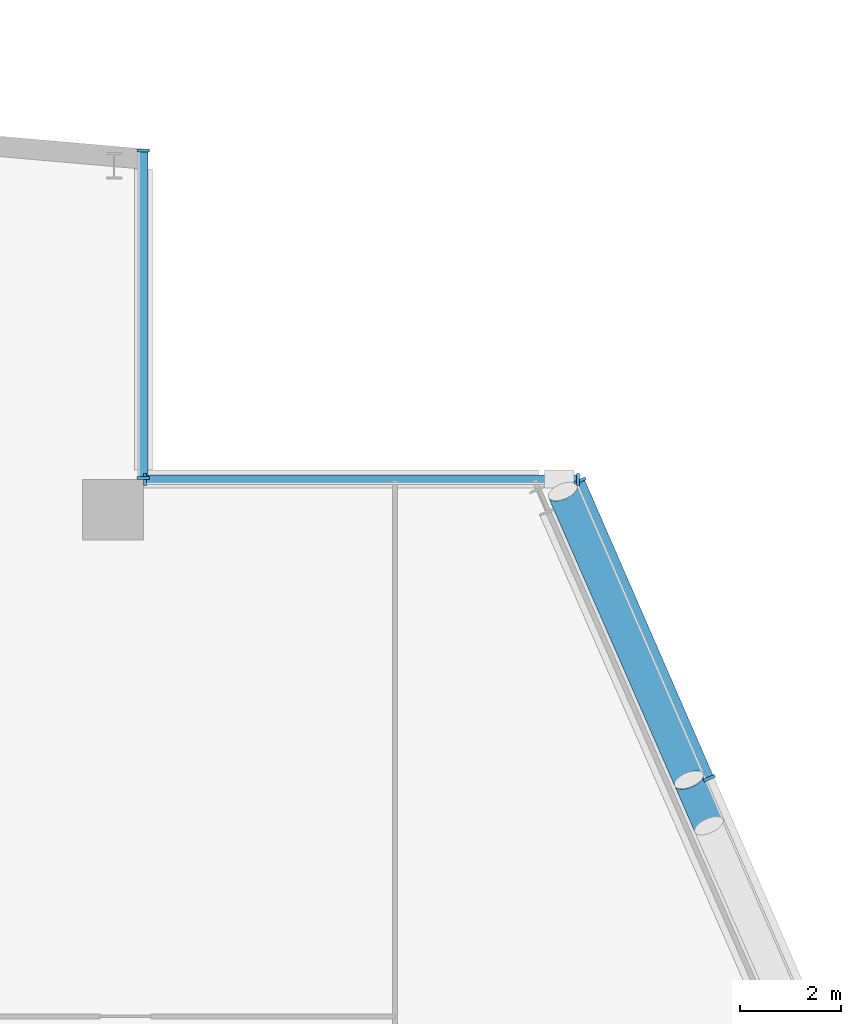
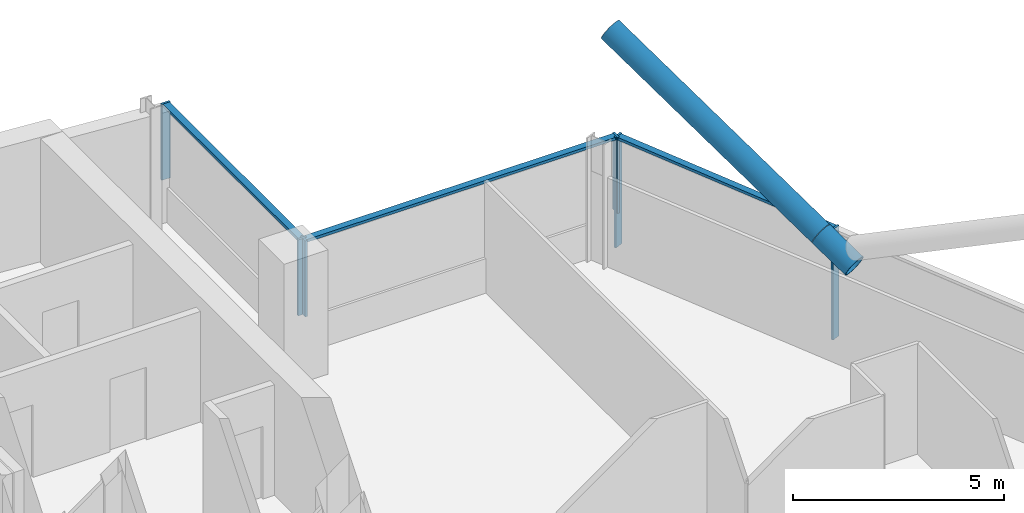
# One storey, part 11 of 28: 11 members, 3 elements without a shape of their own.
"""IFC4 building model written with IfcOpenShell, lengths in metres."""

import ifcopenshell
import ifcopenshell.guid

model = None  # the IFC model being written
_history = None  # IfcOwnerHistory: only IFC2X3 demands one
_inside = {}  # id of a spatial element -> (the spatial element, [elements in it])
_under = {}  # id of a project, library or spatial element -> (it, [spatial elements below it])
_declared = {}  # id of a project -> (the project, [libraries it declares])
_typed = {}  # id of a type object -> (the type object, [elements of that type])
_made_of = {}  # id of a material, layer set ... -> (it, [elements and type objects made of it])


def new_model(schema):
    """Start an empty IFC model of exactly this schema.

    Asked for "IFC4X3", IfcOpenShell would pick the latest addendum, in which some entities
    have other attributes; the version numbers below select the first issue.
    IFC2X3 requires an IfcOwnerHistory on every rooted entity: one is made here for all.
    """
    global model, _history
    if schema == "IFC4X3":
        model = ifcopenshell.file(schema_version=(4, 3, 0, 0))
    else:
        model = ifcopenshell.file(schema=schema)
    _inside.clear()
    _under.clear()
    _declared.clear()
    _typed.clear()
    _made_of.clear()
    _history = None
    if model.schema == "IFC2X3":
        org = make("IfcOrganization", Name="unknown")
        user = make(
            "IfcPersonAndOrganization",
            ThePerson=make("IfcPerson", FamilyName="unknown"),
            TheOrganization=org,
        )
        app = make(
            "IfcApplication",
            ApplicationDeveloper=org,
            Version="unknown",
            ApplicationFullName="unknown",
            ApplicationIdentifier="unknown",
        )
        _history = make(
            "IfcOwnerHistory",
            OwningUser=user,
            OwningApplication=app,
            ChangeAction="ADDED",
            CreationDate=0,
        )
    return model


def make(cls, **values):
    """One entity of the class cls with the attributes given. An attribute that is None is left unset."""
    return model.create_entity(
        cls, **{name: value for name, value in values.items() if value is not None}
    )


def rooted(cls, **values):
    """An entity with a GlobalId (a new one), such as an element, a storey or a relation."""
    return make(cls, GlobalId=ifcopenshell.guid.new(), OwnerHistory=_history, **values)


def si_unit(unit_type, name, prefix=None):
    """IfcSIUnit, for example si_unit("LENGTHUNIT", "METRE", prefix="MILLI")."""
    return make("IfcSIUnit", UnitType=unit_type, Prefix=prefix, Name=name)


def assignment(units):
    """IfcUnitAssignment: the units of a project."""
    return None if units is None else make("IfcUnitAssignment", Units=units)


def point(xyz):
    """IfcCartesianPoint."""
    return None if xyz is None else make("IfcCartesianPoint", Coordinates=xyz)


def direction(xyz):
    """IfcDirection."""
    return None if xyz is None else make("IfcDirection", DirectionRatios=xyz)


def frame(location, z_axis=None, x_axis=None):
    """IfcAxis2Placement3D, a coordinate frame: its origin and axes. An axis left out is left unset."""
    return make(
        "IfcAxis2Placement3D",
        Location=point(location),
        Axis=direction(z_axis),
        RefDirection=direction(x_axis),
    )


def frame_2d(location, x_axis=None):
    """IfcAxis2Placement2D, a coordinate frame in the plane: its origin and x axis."""
    return make(
        "IfcAxis2Placement2D", Location=point(location), RefDirection=direction(x_axis)
    )


def origin():
    """The frame at (0, 0, 0) with its axes left unset."""
    return frame((0.0, 0.0, 0.0))


def origin_2d():
    """The frame at (0, 0) in the plane with its x axis left unset."""
    return frame_2d((0.0, 0.0))


def place(relative_to, where):
    """IfcLocalPlacement: puts the frame where relative to a parent placement (None: the world)."""
    return make(
        "IfcLocalPlacement", PlacementRelTo=relative_to, RelativePlacement=where
    )


def context(
    kind, dimensions, precision=None, world=None, true_north=None, identifier=None
):
    """IfcGeometricRepresentationContext, for example the 3D "Model" context."""
    return make(
        "IfcGeometricRepresentationContext",
        ContextIdentifier=identifier,
        ContextType=kind,
        CoordinateSpaceDimension=dimensions,
        Precision=precision,
        WorldCoordinateSystem=world,
        TrueNorth=true_north,
    )


def subcontext(parent, identifier, kind, view, scale=None):
    """IfcGeometricRepresentationSubContext, for example "Body" below "Model"."""
    return make(
        "IfcGeometricRepresentationSubContext",
        ContextIdentifier=identifier,
        ContextType=kind,
        ParentContext=parent,
        TargetScale=scale,
        TargetView=view,
    )


def project(units=None, contexts=None):
    """IfcProject with its units and contexts."""
    return rooted(
        "IfcProject",
        Name="project",
        RepresentationContexts=contexts,
        UnitsInContext=assignment(units),
    )


def spatial(cls, under=None, at=None, **own):
    """A site, building, storey or space (cls), placed at a placement, below another one or the project."""
    s = rooted(cls, ObjectPlacement=at, **own)
    if under is not None:
        _under.setdefault(under.id(), (under, []))[1].append(s)
    return s


def profile(cls, at=None, kind="AREA", **sizes):
    """A parametric profile (cls). Its sizes go by their IFC names, for example OverallWidth=200.0."""
    return make(cls, ProfileType=kind, Position=at, **sizes)


def rectangle(**sizes):
    """IfcRectangleProfileDef."""
    return profile("IfcRectangleProfileDef", **sizes)


def hollow_circle(**sizes):
    """IfcCircleHollowProfileDef."""
    return profile("IfcCircleHollowProfileDef", **sizes)


def extrude(swept, where, along, depth):
    """IfcExtrudedAreaSolid: the profile swept, set in the frame where, extruded along a direction by depth."""
    return make(
        "IfcExtrudedAreaSolid",
        SweptArea=swept,
        Position=where,
        ExtrudedDirection=direction(along),
        Depth=depth,
    )


def shape(context_of_items, identifier, shape_type, items):
    """IfcShapeRepresentation: the items that make up one representation, for example the "Body"."""
    return make(
        "IfcShapeRepresentation",
        ContextOfItems=context_of_items,
        RepresentationIdentifier=identifier,
        RepresentationType=shape_type,
        Items=items,
    )


def material(Name=None, Category=None):
    """IfcMaterial."""
    return make("IfcMaterial", Name=Name, Category=Category)


def material_profile(
    of_material, cross_section, Name=None, Category=None, Priority=None
):
    """IfcMaterialProfile: a cross section and its material."""
    return make(
        "IfcMaterialProfile",
        Name=Name,
        Material=of_material,
        Profile=cross_section,
        Priority=Priority,
        Category=Category,
    )


def profile_set(profiles, Name=None, composite=None):
    """IfcMaterialProfileSet."""
    return make(
        "IfcMaterialProfileSet",
        Name=Name,
        MaterialProfiles=profiles,
        CompositeProfile=composite,
    )


def made_of(thing, what):
    """Note that an element or type object is made of a material, layer set ...; save() writes the relation."""
    if what is not None:
        _made_of.setdefault(what.id(), (what, []))[1].append(thing)
    return thing


def type_object(cls, material=None, **own):
    """A type object (cls), such as IfcWallType, which elements share."""
    return made_of(rooted(cls, **own), material)


def element(
    cls,
    number,
    at=None,
    inside=None,
    cuts=None,
    type_object=None,
    material=None,
    context=None,
    identifier="Body",
    shape_type=None,
    held_by="IfcProductDefinitionShape",
    body=None,
    shapes=None,
    **own,
):
    """One element of the class cls, such as IfcWall. Its Tag is "e" and its number.

    at: its placement. inside: the storey or other place that contains it. cuts: it is an
    opening in that element (IfcRelVoidsElement). A single representation is given by context,
    identifier, shape_type and body (its items); several are given by shapes. held_by: the class
    of the entity that holds the representations. save() writes the other relations.
    """
    e = rooted(cls, Tag="e%d" % number, ObjectPlacement=at, **own)
    if body is not None:
        shapes = [shape(context, identifier, shape_type, body)]
    if shapes is not None:
        e.Representation = make(held_by, Representations=shapes)
    if inside is not None:
        _inside.setdefault(inside.id(), (inside, []))[1].append(e)
    if cuts is not None:
        rooted(
            "IfcRelVoidsElement", RelatingBuildingElement=cuts, RelatedOpeningElement=e
        )
    if type_object is not None:
        _typed.setdefault(type_object.id(), (type_object, []))[1].append(e)
    return made_of(e, material)


def aggregate(whole, parts):
    """IfcRelAggregates: a whole, such as a stair, and the parts it consists of."""
    return rooted("IfcRelAggregates", RelatingObject=whole, RelatedObjects=parts)


def save(model, path):
    """Write the relations noted so far, then the file.

    IfcRelAggregates (storeys below a building ...), IfcRelContainedInSpatialStructure (elements
    in a storey), IfcRelDefinesByType, IfcRelAssociatesMaterial and IfcRelDeclares: one each for
    every whole, place, type object, material and project.
    """
    for whole, parts in _under.values():
        aggregate(whole, parts)
    for where, things in _inside.values():
        rooted(
            "IfcRelContainedInSpatialStructure",
            RelatedElements=things,
            RelatingStructure=where,
        )
    for kind, things in _typed.values():
        rooted("IfcRelDefinesByType", RelatedObjects=things, RelatingType=kind)
    for what, things in _made_of.values():
        rooted("IfcRelAssociatesMaterial", RelatedObjects=things, RelatingMaterial=what)
    for by, libraries in _declared.values():
        rooted("IfcRelDeclares", RelatingContext=by, RelatedDefinitions=libraries)
    model.write(path)


model = new_model("IFC4")

# Units and contexts
model_context = context("Model", 3, precision=1e-05, world=origin(), true_north=direction((0.0, 1.0)))
body_context = subcontext(model_context, "Body", "Model", "MODEL_VIEW")
ifc_project = project(units=[si_unit("LENGTHUNIT", "METRE"), si_unit("AREAUNIT", "SQUARE_METRE"), si_unit("VOLUMEUNIT", "CUBIC_METRE"), si_unit("PLANEANGLEUNIT", "RADIAN"), si_unit("MASSUNIT", "GRAM", prefix="KILO")], contexts=[model_context])

# Site, building, storey
site_placement = place(None, origin())
site = spatial("IfcSite", under=ifc_project, at=site_placement, CompositionType="ELEMENT")
building_placement = place(site_placement, origin())
building = spatial("IfcBuilding", under=site, at=building_placement, Name="Wharfspan Tower", CompositionType="ELEMENT")
storey_placement = place(building_placement, frame((0.0, 0.0, 253.899902)))
storey = spatial("IfcBuildingStorey", under=building, at=storey_placement, Name="L64", CompositionType="ELEMENT", Elevation=253.899902)

# Member
ifc_material_1 = material(Name="Steel S460NH", Category="steel")
ifc_material_profile_1 = material_profile(ifc_material_1, hollow_circle(Radius=0.304932, WallThickness=0.024902, at=origin_2d()))
ifc_profile_set_1 = profile_set([ifc_material_profile_1], Name="Steel S460NH")
member_type_1 = type_object("IfcMemberType", Name="Brace node tie CHS 610x25", PredefinedType="STRUT", material=ifc_profile_set_1)
member_1_placement = place(storey_placement, frame((72.163818, 35.168213, 2.638184), z_axis=(-0.35292, 0.807084, 0.473354), x_axis=(-0.916236, -0.400648, -3e-06)))
element("IfcMember", 1, at=member_1_placement, inside=storey, type_object=member_type_1, Name="Brace node tie L64 E6", PredefinedType="STRUT", context=body_context, shape_type="SweptSolid", body=[
    extrude(hollow_circle(Radius=0.304932, WallThickness=0.024902, at=origin_2d()), origin(), (0.0, 0.0, 1.0), 1.106934),
])

# Curtain wall, members
ifc_material_2 = material(Name="Aluminium 6063-T6", Category="aluminium")
curtain_wall_type = type_object("IfcCurtainWallType", Name="CURTAIN WALL PROW AND END", PredefinedType="NOTDEFINED", material=ifc_material_2)
curtain_wall_1_placement = place(storey_placement, origin())
curtain_wall_1 = element("IfcCurtainWall", 2, at=curtain_wall_1_placement, inside=storey, type_object=curtain_wall_type, Name="Curtain wall E", PredefinedType="NOTDEFINED")
ifc_material_profile_2 = material_profile(ifc_material_2, rectangle(XDim=0.23999, YDim=0.060059, at=origin_2d()))
ifc_profile_set_2 = profile_set([ifc_material_profile_2], Name="Aluminium 6063-T6")
member_type_2 = type_object("IfcMemberType", Name="MULLION PROW AND END 60x240", PredefinedType="MULLION", material=ifc_profile_set_2)
member_2_placement = place(storey_placement, frame((72.173828, 36.100098, 0.0), z_axis=(0.0, 0.0, 1.0), x_axis=(-0.917072, -0.398727, 0.0)))
member_2 = element("IfcMember", 3, at=member_2_placement, type_object=member_type_2, Name="Curtain wall E mullion 6", PredefinedType="MULLION", context=body_context, shape_type="SweptSolid", body=[
    extrude(rectangle(XDim=0.23999, YDim=0.060059, at=origin_2d()), origin(), (0.0, 0.0, 1.0), 3.200195),
])
member_3_placement = place(storey_placement, frame((69.620605, 41.972412, 0.0), z_axis=(0.0, 0.0, 1.0), x_axis=(-0.917072, -0.398727, 0.0)))
member_3 = element("IfcMember", 4, at=member_3_placement, type_object=member_type_2, Name="Curtain wall E mullion 7", PredefinedType="MULLION", context=body_context, shape_type="SweptSolid", body=[
    extrude(rectangle(XDim=0.23999, YDim=0.060059, at=origin_2d()), origin(), (0.0, 0.0, 1.0), 3.200195),
])

curtain_wall_2_placement = place(storey_placement, origin())
curtain_wall_2 = element("IfcCurtainWall", 5, at=curtain_wall_2_placement, inside=storey, type_object=curtain_wall_type, Name="Curtain wall NRE-H", PredefinedType="NOTDEFINED")
member_4_placement = place(storey_placement, frame((69.578613, 42.0, 1.0), z_axis=(0.0, 0.0, 1.0), x_axis=(0.0, -1.0, 0.0)))
member_4 = element("IfcMember", 6, at=member_4_placement, type_object=member_type_2, Name="Curtain wall NRE-H mullion 1", PredefinedType="MULLION", context=body_context, shape_type="SweptSolid", body=[
    extrude(rectangle(XDim=0.23999, YDim=0.060059, at=origin_2d()), origin(), (0.0, 0.0, 1.0), 2.200195),
])
member_5_placement = place(storey_placement, frame((61.030029, 42.0, 1.0), z_axis=(0.0, 0.0, 1.0), x_axis=(0.0, -1.0, 0.0)))
member_5 = element("IfcMember", 7, at=member_5_placement, type_object=member_type_2, Name="Curtain wall NRE-H mullion 2", PredefinedType="MULLION", context=body_context, shape_type="SweptSolid", body=[
    extrude(rectangle(XDim=0.23999, YDim=0.060059, at=origin_2d()), origin(), (0.0, 0.0, 1.0), 2.200195),
])

curtain_wall_3_placement = place(storey_placement, origin())
curtain_wall_3 = element("IfcCurtainWall", 8, at=curtain_wall_3_placement, inside=storey, type_object=curtain_wall_type, Name="Curtain wall NRE-V", PredefinedType="NOTDEFINED")
member_6_placement = place(storey_placement, frame((61.0, 42.030029, 1.0), z_axis=(0.0, 0.0, 1.0), x_axis=(-1.0, 0.0, 0.0)))
member_6 = element("IfcMember", 9, at=member_6_placement, type_object=member_type_2, Name="Curtain wall NRE-V mullion 1", PredefinedType="MULLION", context=body_context, shape_type="SweptSolid", body=[
    extrude(rectangle(XDim=0.23999, YDim=0.060059, at=origin_2d()), origin(), (0.0, 0.0, 1.0), 2.200195),
])
member_7_placement = place(storey_placement, frame((61.0, 48.494873, 1.0), z_axis=(0.0, 0.0, 1.0), x_axis=(-1.0, 0.0, 0.0)))
member_7 = element("IfcMember", 10, at=member_7_placement, type_object=member_type_2, Name="Curtain wall NRE-V mullion 2", PredefinedType="MULLION", context=body_context, shape_type="SweptSolid", body=[
    extrude(rectangle(XDim=0.23999, YDim=0.060059, at=origin_2d()), origin(), (0.0, 0.0, 1.0), 2.200195),
])

# Member
ifc_material_profile_3 = material_profile(ifc_material_1, hollow_circle(Radius=0.304932, WallThickness=0.024902, at=origin_2d()))
ifc_profile_set_3 = profile_set([ifc_material_profile_3], Name="Steel S460NH")
member_type_3 = type_object("IfcMemberType", Name="Mega brace CHS 610x25", PredefinedType="BRACE", material=ifc_profile_set_3)
member_8_placement = place(storey_placement, frame((71.769775, 36.06958, 3.166748), z_axis=(-0.352909, 0.807115, 0.473307), x_axis=(-0.916238, -0.400621, -3e-06)))
element("IfcMember", 11, at=member_8_placement, inside=storey, type_object=member_type_3, Name="Mega brace E6 L64 part 2", PredefinedType="BRACE", context=body_context, shape_type="SweptSolid", body=[
    extrude(hollow_circle(Radius=0.304932, WallThickness=0.024902, at=origin_2d()), origin(), (0.0, 0.0, 1.0), 7.04248),
])

ifc_material_profile_4 = material_profile(ifc_material_2, rectangle(XDim=0.179932, YDim=0.080078, at=origin_2d()))
ifc_profile_set_4 = profile_set([ifc_material_profile_4], Name="Aluminium 6063-T6")
member_type_4 = type_object("IfcMemberType", Name="TRANSOM PROW AND END 80x180", PredefinedType="USERDEFINED", material=ifc_profile_set_4)
member_9_placement = place(storey_placement, frame((72.161865, 36.127441, 3.160156), z_axis=(-0.398712, 0.917076, 0.0), x_axis=(-0.917076, -0.398712, 0.0)))
member_9 = element("IfcMember", 12, at=member_9_placement, type_object=member_type_4, Name="Curtain wall E transom 6", ObjectType="TRANSOM", PredefinedType="USERDEFINED", context=body_context, shape_type="SweptSolid", body=[
    extrude(rectangle(XDim=0.179932, YDim=0.080078, at=origin_2d()), origin(), (0.0, 0.0, 1.0), 6.34375),
])

aggregate(curtain_wall_1, [member_2, member_3, member_9])

member_10_placement = place(storey_placement, frame((69.548584, 42.0, 3.160156), z_axis=(-1.0, 0.0, 0.0), x_axis=(0.0, -1.0, 0.0)))
member_10 = element("IfcMember", 13, at=member_10_placement, type_object=member_type_4, Name="Curtain wall NRE-H transom 1", ObjectType="TRANSOM", PredefinedType="USERDEFINED", context=body_context, shape_type="SweptSolid", body=[
    extrude(rectangle(XDim=0.179932, YDim=0.080078, at=origin_2d()), origin(), (0.0, 0.0, 1.0), 8.488525),
])

aggregate(curtain_wall_2, [member_4, member_5, member_10])

member_11_placement = place(storey_placement, frame((61.0, 42.060059, 3.160156), z_axis=(0.0, 1.0, 0.0), x_axis=(-1.0, 0.0, 0.0)))
member_11 = element("IfcMember", 14, at=member_11_placement, type_object=member_type_4, Name="Curtain wall NRE-V transom 1", ObjectType="TRANSOM", PredefinedType="USERDEFINED", context=body_context, shape_type="SweptSolid", body=[
    extrude(rectangle(XDim=0.179932, YDim=0.080078, at=origin_2d()), origin(), (0.0, 0.0, 1.0), 6.404785),
])

aggregate(curtain_wall_3, [member_6, member_7, member_11])

save(model, "model.ifc")
